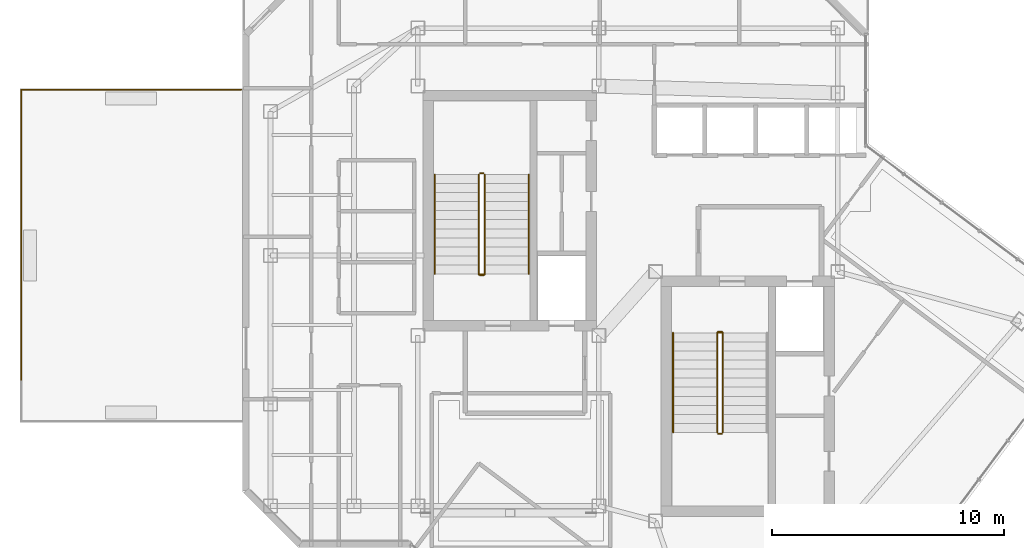
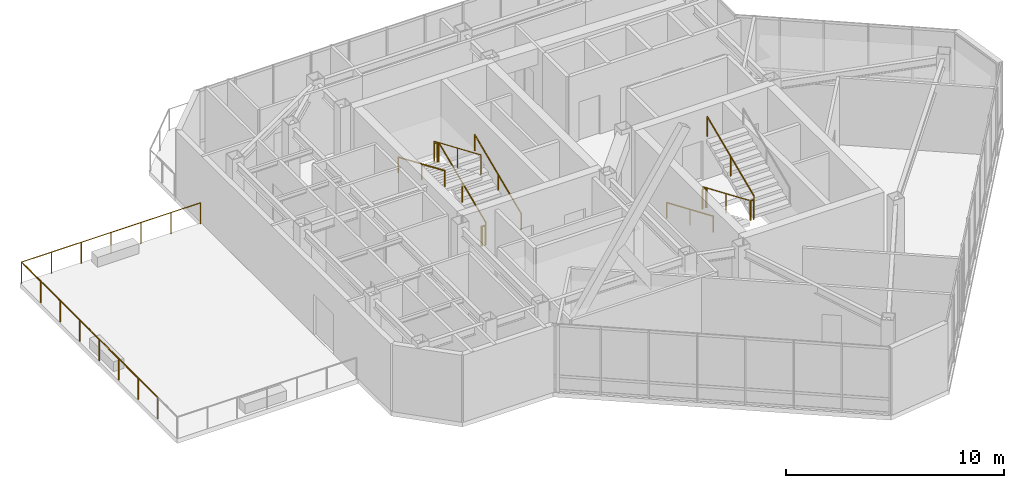
# One storey, part 20 of 21: 26 railings.
"""IFC4 building model written with IfcOpenShell, lengths in metres."""

from ifc_helpers import new_model, si_unit, direction, frame, origin, origin_2d, place, context, subcontext, project, spatial, circle, extrude, material, layer, layer_set, type_object, element, save


model = new_model("IFC4")

# Units and contexts
model_context = context("Model", 3, precision=1e-05, world=origin(), true_north=direction((0.0, 1.0)))
body_context = subcontext(model_context, "Body", "Model", "MODEL_VIEW")
ifc_project = project(units=[si_unit("LENGTHUNIT", "METRE"), si_unit("AREAUNIT", "SQUARE_METRE"), si_unit("VOLUMEUNIT", "CUBIC_METRE"), si_unit("PLANEANGLEUNIT", "RADIAN"), si_unit("MASSUNIT", "GRAM", prefix="KILO")], contexts=[model_context])

# Site, building, storey
site_placement = place(None, origin())
site = spatial("IfcSite", under=ifc_project, at=site_placement, CompositionType="ELEMENT")
building_placement = place(site_placement, origin())
building = spatial("IfcBuilding", under=site, at=building_placement, Name="Hatsunagi Terrace Concourse", CompositionType="ELEMENT")
storey_placement = place(building_placement, frame((0.0, 0.0, 265.949951171875)))
storey = spatial("IfcBuildingStorey", under=building, at=storey_placement, Name="L70", CompositionType="ELEMENT", Elevation=265.949951171875)

# Railings
ifc_material_1 = material(Name="Stainless steel", Category="steel")
ifc_layer_1 = layer(ifc_material_1, 0.044921875)
ifc_layer_set_1 = layer_set([ifc_layer_1], Name="StairPitchHandrail_Tower2000")
railing_type_1 = type_object("IfcRailingType", Name="StairPitchHandrail_Tower2000", PredefinedType="HANDRAIL", material=ifc_layer_set_1)
railing_1_placement = place(storey_placement, frame((30.330078125, 35.199951171875, 0.166748046875)))
element("IfcRailing", 1, at=railing_1_placement, inside=storey, type_object=railing_type_1, Name="L70 ST-A stair handrail 1", PredefinedType="HANDRAIL", context=body_context, shape_type="SweptSolid", body=[
    extrude(circle(Radius=0.02392578125, at=origin_2d()), frame((0.0, 0.0, 0.8759765625), z_axis=(0.0, 0.919558658016, 0.39295276366), x_axis=(-1.0, 0.0, 0.0)), (0.0, 0.0, 1.0), 4.665283203125),
    extrude(circle(Radius=0.02099609375, at=origin_2d()), origin(), (0.0, 0.0, 1.0), 0.851806640625),
    extrude(circle(Radius=0.02099609375, at=origin_2d()), frame((0.0, 2.14501953125, 0.91650390625)), (0.0, 0.0, 1.0), 0.851806640625),
    extrude(circle(Radius=0.02099609375, at=origin_2d()), frame((0.0, 4.2900390625, 1.833251953125)), (0.0, 0.0, 1.0), 0.851806640625),
])
railing_2_placement = place(storey_placement, frame((26.280029296875, 39.489990234375, 2.166748046875)))
element("IfcRailing", 2, at=railing_2_placement, inside=storey, type_object=railing_type_1, Name="L70 ST-A stair handrail 2", PredefinedType="HANDRAIL", context=body_context, shape_type="SweptSolid", body=[
    extrude(circle(Radius=0.02392578125, at=origin_2d()), frame((0.0, 0.0, 0.8759765625), z_axis=(0.0, -0.919558658016, 0.39295276366), x_axis=(1.0, 0.0, 0.0)), (0.0, 0.0, 1.0), 4.665283203125),
    extrude(circle(Radius=0.02099609375, at=origin_2d()), origin(), (0.0, 0.0, 1.0), 0.851806640625),
    extrude(circle(Radius=0.02099609375, at=origin_2d()), frame((0.0, -2.14501953125, 0.91650390625)), (0.0, 0.0, 1.0), 0.851806640625),
    extrude(circle(Radius=0.02099609375, at=origin_2d()), frame((0.0, -4.2900390625, 1.833251953125)), (0.0, 0.0, 1.0), 0.851806640625),
])
railing_3_placement = place(storey_placement, frame((36.550048828125, 32.659912109375, 0.166748046875)))
element("IfcRailing", 3, at=railing_3_placement, inside=storey, type_object=railing_type_1, Name="L70 ST-B stair handrail 1", PredefinedType="HANDRAIL", context=body_context, shape_type="SweptSolid", body=[
    extrude(circle(Radius=0.02392578125, at=origin_2d()), frame((0.0, 0.0, 0.8759765625), z_axis=(0.0, -0.919550576919, 0.392971673899), x_axis=(1.0, 0.0, 0.0)), (0.0, 0.0, 1.0), 4.6650390625),
    extrude(circle(Radius=0.02099609375, at=origin_2d()), origin(), (0.0, 0.0, 1.0), 0.851806640625),
    extrude(circle(Radius=0.02099609375, at=origin_2d()), frame((0.0, -2.14501953125, 0.91650390625)), (0.0, 0.0, 1.0), 0.851806640625),
    extrude(circle(Radius=0.02099609375, at=origin_2d()), frame((0.0, -4.289794921875, 1.833251953125)), (0.0, 0.0, 1.0), 0.851806640625),
])
ifc_material_2 = material(Name="Stainless steel", Category="steel")
ifc_layer_2 = layer(ifc_material_2, 0.06005859375)
ifc_layer_set_2 = layer_set([ifc_layer_2], Name="StairWellGuard_Tower2000")
railing_type_2 = type_object("IfcRailingType", Name="StairWellGuard_Tower2000", PredefinedType="BALUSTRADE", material=ifc_layer_set_2)
railing_4_placement = place(storey_placement, frame((28.429931640625, 35.199951171875, 0.166748046875)))
element("IfcRailing", 4, at=railing_4_placement, inside=storey, type_object=railing_type_2, Name="L70 ST-A stair guard 1", PredefinedType="BALUSTRADE", context=body_context, shape_type="SweptSolid", body=[
    extrude(circle(Radius=0.02392578125, at=origin_2d()), frame((0.0, 0.0, 1.09619140625), z_axis=(0.0, 0.919558658016, 0.39295276366), x_axis=(-1.0, 0.0, 0.0)), (0.0, 0.0, 1.0), 4.665283203125),
    extrude(circle(Radius=0.02099609375, at=origin_2d()), origin(), (0.0, 0.0, 1.0), 1.072021484375),
    extrude(circle(Radius=0.02099609375, at=origin_2d()), frame((0.0, 2.14501953125, 0.91650390625)), (0.0, 0.0, 1.0), 1.072021484375),
    extrude(circle(Radius=0.02099609375, at=origin_2d()), frame((0.0, 4.2900390625, 1.833251953125)), (0.0, 0.0, 1.0), 1.072021484375),
])
railing_5_placement = place(storey_placement, frame((28.3798828125, 39.5400390625, 2.0)))
element("IfcRailing", 5, at=railing_5_placement, inside=storey, type_object=railing_type_2, Name="L70 ST-A stair guard 2", PredefinedType="BALUSTRADE", context=body_context, shape_type="SweptSolid", body=[
    extrude(circle(Radius=0.02392578125, at=origin_2d()), frame((0.0, 0.0, 1.09619140625), z_axis=(-1.0, 0.0, 0.0), x_axis=(0.0, -1.0, 0.0)), (0.0, 0.0, 1.0), 0.14990234375),
    extrude(circle(Radius=0.02099609375, at=origin_2d()), origin(), (0.0, 0.0, 1.0), 1.072021484375),
    extrude(circle(Radius=0.02099609375, at=origin_2d()), frame((-0.14990234375, 0.0, 0.0)), (0.0, 0.0, 1.0), 1.072021484375),
])
railing_6_placement = place(storey_placement, frame((28.179931640625, 39.489990234375, 2.166748046875)))
element("IfcRailing", 6, at=railing_6_placement, inside=storey, type_object=railing_type_2, Name="L70 ST-A stair guard 3", PredefinedType="BALUSTRADE", context=body_context, shape_type="SweptSolid", body=[
    extrude(circle(Radius=0.02392578125, at=origin_2d()), frame((0.0, 0.0, 1.09619140625), z_axis=(0.0, -0.919558658016, 0.39295276366), x_axis=(1.0, 0.0, 0.0)), (0.0, 0.0, 1.0), 4.665283203125),
    extrude(circle(Radius=0.02099609375, at=origin_2d()), origin(), (0.0, 0.0, 1.0), 1.072021484375),
    extrude(circle(Radius=0.02099609375, at=origin_2d()), frame((0.0, -2.14501953125, 0.91650390625)), (0.0, 0.0, 1.0), 1.072021484375),
    extrude(circle(Radius=0.02099609375, at=origin_2d()), frame((0.0, -4.2900390625, 1.833251953125)), (0.0, 0.0, 1.0), 1.072021484375),
])
railing_7_placement = place(storey_placement, frame((28.3798828125, 35.14990234375, 0.0)))
element("IfcRailing", 7, at=railing_7_placement, inside=storey, type_object=railing_type_2, Name="L70 ST-A stair guard 4", PredefinedType="BALUSTRADE", context=body_context, shape_type="SweptSolid", body=[
    extrude(circle(Radius=0.02392578125, at=origin_2d()), frame((0.0, 0.0, 1.09619140625), z_axis=(-1.0, 0.0, 0.0), x_axis=(0.0, -1.0, 0.0)), (0.0, 0.0, 1.0), 0.14990234375),
    extrude(circle(Radius=0.02099609375, at=origin_2d()), origin(), (0.0, 0.0, 1.0), 1.072021484375),
    extrude(circle(Radius=0.02099609375, at=origin_2d()), frame((-0.14990234375, 0.0, 0.0)), (0.0, 0.0, 1.0), 1.072021484375),
])
railing_8_placement = place(storey_placement, frame((38.449951171875, 32.659912109375, 0.166748046875)))
element("IfcRailing", 8, at=railing_8_placement, inside=storey, type_object=railing_type_2, Name="L70 ST-B stair guard 1", PredefinedType="BALUSTRADE", context=body_context, shape_type="SweptSolid", body=[
    extrude(circle(Radius=0.02392578125, at=origin_2d()), frame((0.0, 0.0, 1.09619140625), z_axis=(0.0, -0.919550576919, 0.392971673899), x_axis=(1.0, 0.0, 0.0)), (0.0, 0.0, 1.0), 4.6650390625),
    extrude(circle(Radius=0.02099609375, at=origin_2d()), origin(), (0.0, 0.0, 1.0), 1.072021484375),
    extrude(circle(Radius=0.02099609375, at=origin_2d()), frame((0.0, -2.14501953125, 0.91650390625)), (0.0, 0.0, 1.0), 1.072021484375),
    extrude(circle(Radius=0.02099609375, at=origin_2d()), frame((0.0, -4.289794921875, 1.833251953125)), (0.0, 0.0, 1.0), 1.072021484375),
])
railing_9_placement = place(storey_placement, frame((38.5, 28.320068359375, 2.0)))
element("IfcRailing", 9, at=railing_9_placement, inside=storey, type_object=railing_type_2, Name="L70 ST-B stair guard 2", PredefinedType="BALUSTRADE", context=body_context, shape_type="SweptSolid", body=[
    extrude(circle(Radius=0.02392578125, at=origin_2d()), frame((0.0, 0.0, 1.09619140625), z_axis=(1.0, 0.0, 0.0), x_axis=(0.0, 1.0, 0.0)), (0.0, 0.0, 1.0), 0.14990234375),
    extrude(circle(Radius=0.02099609375, at=origin_2d()), origin(), (0.0, 0.0, 1.0), 1.072021484375),
    extrude(circle(Radius=0.02099609375, at=origin_2d()), frame((0.14990234375, 0.0, 0.0)), (0.0, 0.0, 1.0), 1.072021484375),
])
railing_10_placement = place(storey_placement, frame((38.699951171875, 28.3701171875, 2.166748046875)))
element("IfcRailing", 10, at=railing_10_placement, inside=storey, type_object=railing_type_2, Name="L70 ST-B stair guard 3", PredefinedType="BALUSTRADE", context=body_context, shape_type="SweptSolid", body=[
    extrude(circle(Radius=0.02392578125, at=origin_2d()), frame((0.0, 0.0, 1.09619140625), z_axis=(0.0, 0.919550576919, 0.392971673899), x_axis=(-1.0, 0.0, 0.0)), (0.0, 0.0, 1.0), 4.6650390625),
    extrude(circle(Radius=0.02099609375, at=origin_2d()), origin(), (0.0, 0.0, 1.0), 1.072021484375),
    extrude(circle(Radius=0.02099609375, at=origin_2d()), frame((0.0, 2.14501953125, 0.91650390625)), (0.0, 0.0, 1.0), 1.072021484375),
    extrude(circle(Radius=0.02099609375, at=origin_2d()), frame((0.0, 4.289794921875, 1.833251953125)), (0.0, 0.0, 1.0), 1.072021484375),
])
railing_11_placement = place(storey_placement, frame((38.5, 32.7099609375, 0.0)))
element("IfcRailing", 11, at=railing_11_placement, inside=storey, type_object=railing_type_2, Name="L70 ST-B stair guard 4", PredefinedType="BALUSTRADE", context=body_context, shape_type="SweptSolid", body=[
    extrude(circle(Radius=0.02392578125, at=origin_2d()), frame((0.0, 0.0, 1.09619140625), z_axis=(1.0, 0.0, 0.0), x_axis=(0.0, 1.0, 0.0)), (0.0, 0.0, 1.0), 0.14990234375),
    extrude(circle(Radius=0.02099609375, at=origin_2d()), origin(), (0.0, 0.0, 1.0), 1.072021484375),
    extrude(circle(Radius=0.02099609375, at=origin_2d()), frame((0.14990234375, 0.0, 0.0)), (0.0, 0.0, 1.0), 1.072021484375),
])
ifc_material_3 = material(Name="Stainless Steel SUS316 Post-and-Rail Guard", Category="steel")
ifc_layer_3 = layer(ifc_material_3, 0.080078125)
ifc_layer_set_3 = layer_set([ifc_layer_3], Name="TerracePlantedGuardRail_1200")
railing_type_3 = type_object("IfcRailingType", Name="TerracePlantedGuardRail_1200", PredefinedType="GUARDRAIL", material=ifc_layer_set_3)
for number, where, name in (
    (12, (28.179931640625, 35.179931640625, 0.0), "Stair ST-A Well Closure Guard L70"),
    (13, (38.449951171875, 32.679931640625, 0.0), "Stair ST-B Well Closure Guard L70"),
):
    element("IfcRailing", number, at=place(storey_placement, frame(where)), inside=storey, type_object=railing_type_3, Name=name, PredefinedType="GUARDRAIL", context=body_context, shape_type="SweptSolid", body=[
        extrude(circle(Radius=0.02392578125, at=origin_2d()), frame((0.0, 0.0, 1.09619140625), z_axis=(1.0, 0.0, 0.0), x_axis=(0.0, 1.0, 0.0)), (0.0, 0.0, 1.0), 0.25),
        extrude(circle(Radius=0.02099609375, at=origin_2d()), origin(), (0.0, 0.0, 1.0), 1.072021484375),
        extrude(circle(Radius=0.02099609375, at=origin_2d()), frame((0.25, 0.0, 0.0)), (0.0, 0.0, 1.0), 1.072021484375),
    ])
railing_12_placement = place(storey_placement, frame((8.449951171875, 30.64208984375, 0.010009765625)))
element("IfcRailing", 14, at=railing_12_placement, inside=storey, type_object=railing_type_3, Name="Sky Garden Guardrail GRD-02 TER-L70-1-1 #8", PredefinedType="GUARDRAIL", context=body_context, shape_type="SweptSolid", body=[
    extrude(circle(Radius=0.02392578125, at=origin_2d()), frame((0.0, 0.0, 1.17578125), z_axis=(0.0, 1.0, 0.0), x_axis=(-1.0, 0.0, 0.0)), (0.0, 0.0, 1.0), 1.77880859375),
    extrude(circle(Radius=0.02099609375, at=origin_2d()), origin(), (0.0, 0.0, 1.0), 1.15185546875),
    extrude(circle(Radius=0.02099609375, at=origin_2d()), frame((0.0, 1.77880859375, 0.0)), (0.0, 0.0, 1.0), 1.15185546875),
])
railing_13_placement = place(storey_placement, frame((8.449951171875, 32.428955078125, 0.010009765625)))
element("IfcRailing", 15, at=railing_13_placement, inside=storey, type_object=railing_type_3, Name="Sky Garden Guardrail GRD-02 TER-L70-1-1 #9", PredefinedType="GUARDRAIL", context=body_context, shape_type="SweptSolid", body=[
    extrude(circle(Radius=0.02392578125, at=origin_2d()), frame((0.0, 0.0, 1.17578125), z_axis=(0.0, 1.0, 0.0), x_axis=(-1.0, 0.0, 0.0)), (0.0, 0.0, 1.0), 1.780029296875),
    extrude(circle(Radius=0.02099609375, at=origin_2d()), origin(), (0.0, 0.0, 1.0), 1.15185546875),
    extrude(circle(Radius=0.02099609375, at=origin_2d()), frame((0.0, 1.780029296875, 0.0)), (0.0, 0.0, 1.0), 1.15185546875),
])
railing_14_placement = place(storey_placement, frame((8.449951171875, 34.217041015625, 0.010009765625)))
element("IfcRailing", 16, at=railing_14_placement, inside=storey, type_object=railing_type_3, Name="Sky Garden Guardrail GRD-02 TER-L70-1-1 #10", PredefinedType="GUARDRAIL", context=body_context, shape_type="SweptSolid", body=[
    extrude(circle(Radius=0.02392578125, at=origin_2d()), frame((0.0, 0.0, 1.17578125), z_axis=(0.0, 1.0, 0.0), x_axis=(-1.0, 0.0, 0.0)), (0.0, 0.0, 1.0), 1.779052734375),
    extrude(circle(Radius=0.02099609375, at=origin_2d()), origin(), (0.0, 0.0, 1.0), 1.15185546875),
    extrude(circle(Radius=0.02099609375, at=origin_2d()), frame((0.0, 1.779052734375, 0.0)), (0.0, 0.0, 1.0), 1.15185546875),
])
for number, where, name in (
    (17, (8.449951171875, 36.00390625, 0.010009765625), "Sky Garden Guardrail GRD-02 TER-L70-1-1 #11"),
    (18, (8.449951171875, 37.791015625, 0.010009765625), "Sky Garden Guardrail GRD-02 TER-L70-1-1 #12"),
):
    element("IfcRailing", number, at=place(storey_placement, frame(where)), inside=storey, type_object=railing_type_3, Name=name, PredefinedType="GUARDRAIL", context=body_context, shape_type="SweptSolid", body=[
        extrude(circle(Radius=0.02392578125, at=origin_2d()), frame((0.0, 0.0, 1.17578125), z_axis=(0.0, 1.0, 0.0), x_axis=(-1.0, 0.0, 0.0)), (0.0, 0.0, 1.0), 1.780029296875),
        extrude(circle(Radius=0.02099609375, at=origin_2d()), origin(), (0.0, 0.0, 1.0), 1.15185546875),
        extrude(circle(Radius=0.02099609375, at=origin_2d()), frame((0.0, 1.780029296875, 0.0)), (0.0, 0.0, 1.0), 1.15185546875),
    ])
railing_15_placement = place(storey_placement, frame((8.449951171875, 39.5791015625, 0.010009765625)))
element("IfcRailing", 19, at=railing_15_placement, inside=storey, type_object=railing_type_3, Name="Sky Garden Guardrail GRD-02 TER-L70-1-1 #13", PredefinedType="GUARDRAIL", context=body_context, shape_type="SweptSolid", body=[
    extrude(circle(Radius=0.02392578125, at=origin_2d()), frame((0.0, 0.0, 1.17578125), z_axis=(0.0, 1.0, 0.0), x_axis=(-1.0, 0.0, 0.0)), (0.0, 0.0, 1.0), 1.77880859375),
    extrude(circle(Radius=0.02099609375, at=origin_2d()), origin(), (0.0, 0.0, 1.0), 1.15185546875),
    extrude(circle(Radius=0.02099609375, at=origin_2d()), frame((0.0, 1.77880859375, 0.0)), (0.0, 0.0, 1.0), 1.15185546875),
])
railing_16_placement = place(storey_placement, frame((8.449951171875, 41.366943359375, 0.010009765625)))
element("IfcRailing", 20, at=railing_16_placement, inside=storey, type_object=railing_type_3, Name="Sky Garden Guardrail GRD-02 TER-L70-1-1 #14", PredefinedType="GUARDRAIL", context=body_context, shape_type="SweptSolid", body=[
    extrude(circle(Radius=0.02392578125, at=origin_2d()), frame((0.0, 0.0, 1.17578125), z_axis=(0.0, 1.0, 0.0), x_axis=(-1.0, 0.0, 0.0)), (0.0, 0.0, 1.0), 1.782958984375),
    extrude(circle(Radius=0.02099609375, at=origin_2d()), origin(), (0.0, 0.0, 1.0), 1.15185546875),
    extrude(circle(Radius=0.02099609375, at=origin_2d()), frame((0.0, 1.782958984375, 0.0)), (0.0, 0.0, 1.0), 1.15185546875),
])
railing_17_placement = place(storey_placement, frame((8.449951171875, 43.14990234375, 0.010009765625)))
element("IfcRailing", 21, at=railing_17_placement, inside=storey, type_object=railing_type_3, Name="Sky Garden Guardrail GRD-02 TER-L70-1-1 #15", PredefinedType="GUARDRAIL", context=body_context, shape_type="SweptSolid", body=[
    extrude(circle(Radius=0.02392578125, at=origin_2d()), frame((0.0, 0.0, 1.17578125), z_axis=(1.0, 0.0, 0.0), x_axis=(0.0, 1.0, 0.0)), (0.0, 0.0, 1.0), 1.5771484375),
    extrude(circle(Radius=0.02099609375, at=origin_2d()), origin(), (0.0, 0.0, 1.0), 1.15185546875),
    extrude(circle(Radius=0.02099609375, at=origin_2d()), frame((1.5771484375, 0.0, 0.0)), (0.0, 0.0, 1.0), 1.15185546875),
])
railing_18_placement = place(storey_placement, frame((10.034912109375, 43.14990234375, 0.010009765625)))
element("IfcRailing", 22, at=railing_18_placement, inside=storey, type_object=railing_type_3, Name="Sky Garden Guardrail GRD-02 TER-L70-1-1 #16", PredefinedType="GUARDRAIL", context=body_context, shape_type="SweptSolid", body=[
    extrude(circle(Radius=0.02392578125, at=origin_2d()), frame((0.0, 0.0, 1.17578125), z_axis=(1.0, 0.0, 0.0), x_axis=(0.0, 1.0, 0.0)), (0.0, 0.0, 1.0), 1.573974609375),
    extrude(circle(Radius=0.02099609375, at=origin_2d()), origin(), (0.0, 0.0, 1.0), 1.15185546875),
    extrude(circle(Radius=0.02099609375, at=origin_2d()), frame((1.573974609375, 0.0, 0.0)), (0.0, 0.0, 1.0), 1.15185546875),
])
for number, where, name in (
    (23, (11.616943359375, 43.14990234375, 0.010009765625), "Sky Garden Guardrail GRD-02 TER-L70-1-1 #17"),
    (24, (13.197998046875, 43.14990234375, 0.010009765625), "Sky Garden Guardrail GRD-02 TER-L70-1-1 #18"),
):
    element("IfcRailing", number, at=place(storey_placement, frame(where)), inside=storey, type_object=railing_type_3, Name=name, PredefinedType="GUARDRAIL", context=body_context, shape_type="SweptSolid", body=[
        extrude(circle(Radius=0.02392578125, at=origin_2d()), frame((0.0, 0.0, 1.17578125), z_axis=(1.0, 0.0, 0.0), x_axis=(0.0, 1.0, 0.0)), (0.0, 0.0, 1.0), 1.572998046875),
        extrude(circle(Radius=0.02099609375, at=origin_2d()), origin(), (0.0, 0.0, 1.0), 1.15185546875),
        extrude(circle(Radius=0.02099609375, at=origin_2d()), frame((1.572998046875, 0.0, 0.0)), (0.0, 0.0, 1.0), 1.15185546875),
    ])
railing_19_placement = place(storey_placement, frame((14.779052734375, 43.14990234375, 0.010009765625)))
element("IfcRailing", 25, at=railing_19_placement, inside=storey, type_object=railing_type_3, Name="Sky Garden Guardrail GRD-02 TER-L70-1-1 #19", PredefinedType="GUARDRAIL", context=body_context, shape_type="SweptSolid", body=[
    extrude(circle(Radius=0.02392578125, at=origin_2d()), frame((0.0, 0.0, 1.17578125), z_axis=(1.0, 0.0, 0.0), x_axis=(0.0, 1.0, 0.0)), (0.0, 0.0, 1.0), 1.573974609375),
    extrude(circle(Radius=0.02099609375, at=origin_2d()), origin(), (0.0, 0.0, 1.0), 1.15185546875),
    extrude(circle(Radius=0.02099609375, at=origin_2d()), frame((1.573974609375, 0.0, 0.0)), (0.0, 0.0, 1.0), 1.15185546875),
])
railing_20_placement = place(storey_placement, frame((16.361083984375, 43.14990234375, 0.010009765625)))
element("IfcRailing", 26, at=railing_20_placement, inside=storey, type_object=railing_type_3, Name="Sky Garden Guardrail GRD-02 TER-L70-1-1 #20", PredefinedType="GUARDRAIL", context=body_context, shape_type="SweptSolid", body=[
    extrude(circle(Radius=0.02392578125, at=origin_2d()), frame((0.0, 0.0, 1.17578125), z_axis=(1.0, 0.0, 0.0), x_axis=(0.0, 1.0, 0.0)), (0.0, 0.0, 1.0), 1.576904296875),
    extrude(circle(Radius=0.02099609375, at=origin_2d()), origin(), (0.0, 0.0, 1.0), 1.15185546875),
    extrude(circle(Radius=0.02099609375, at=origin_2d()), frame((1.576904296875, 0.0, 0.0)), (0.0, 0.0, 1.0), 1.15185546875),
])

save(model, "model.ifc")
